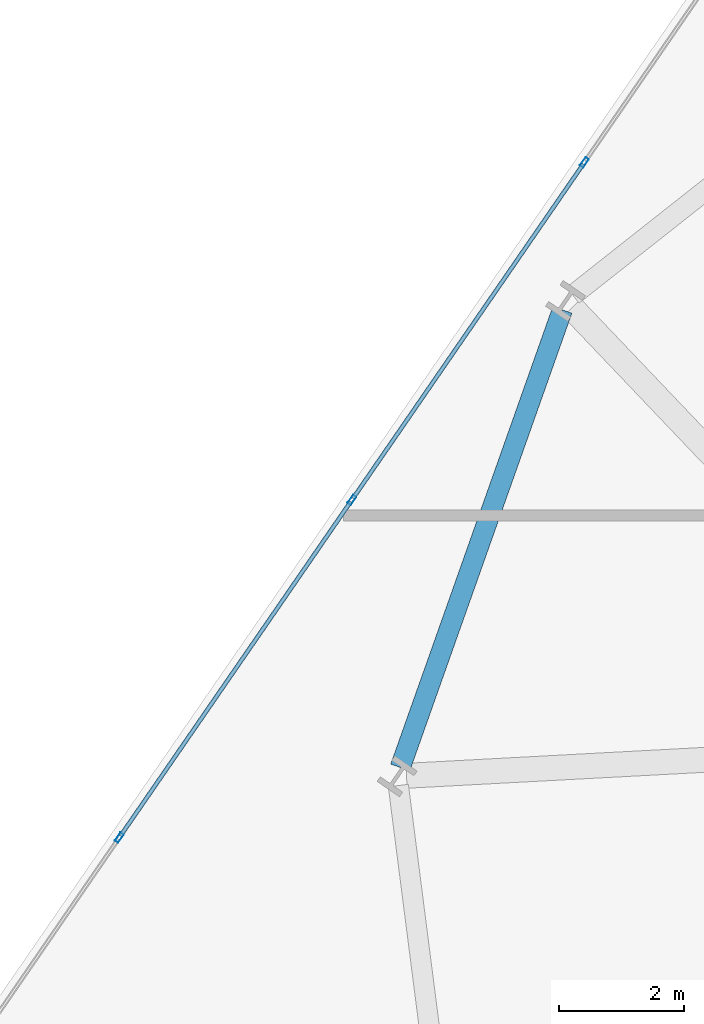
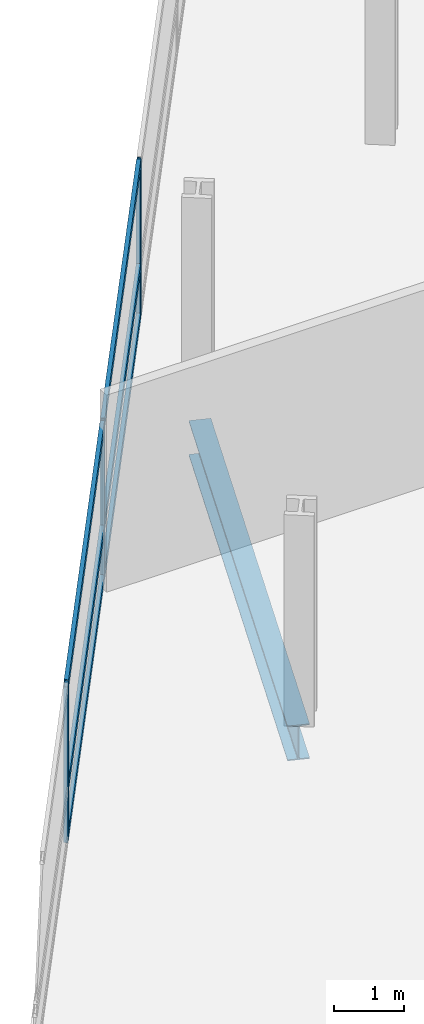
# One storey, part 4 of 25: 9 members, 1 beam, 1 element without a shape of its own.
"""IFC4 building model written with IfcOpenShell, lengths in metres."""

from ifc_helpers import new_model, si_unit, direction, frame, origin, origin_2d, place, context, subcontext, project, spatial, hollow_rectangle, i_section, extrude, material, layer, layer_set, material_profile, profile_set, type_object, element, aggregate, save


model = new_model("IFC4")

# Units and contexts
model_context = context("Model", 3, precision=1e-05, world=origin(), true_north=direction((0.0, 1.0)))
body_context = subcontext(model_context, "Body", "Model", "MODEL_VIEW")
ifc_project = project(units=[si_unit("LENGTHUNIT", "METRE"), si_unit("AREAUNIT", "SQUARE_METRE"), si_unit("VOLUMEUNIT", "CUBIC_METRE"), si_unit("PLANEANGLEUNIT", "RADIAN"), si_unit("MASSUNIT", "GRAM", prefix="KILO")], contexts=[model_context])

# Site, building, storey
site_placement = place(None, origin())
site = spatial("IfcSite", under=ifc_project, at=site_placement, CompositionType="ELEMENT")
building_placement = place(site_placement, origin())
building = spatial("IfcBuilding", under=site, at=building_placement, Name="Varnelok Gate Tower", CompositionType="ELEMENT")
storey_placement = place(building_placement, frame((0.0, 0.0, 52.89990234375)))
storey = spatial("IfcBuildingStorey", under=building, at=storey_placement, Name="L12", CompositionType="ELEMENT", Elevation=52.89990234375)

# Beam
ifc_material_1 = material(Name="Structural Steel ASTM A992 Grade 50", Category="steel")
ifc_material_profile_1 = material_profile(ifc_material_1, i_section(OverallWidth=0.323974609375, OverallDepth=0.611083984375, WebThickness=0.0126953125, FlangeThickness=0.01904296875, FilletRadius=0.01806640625, at=origin_2d()), Name="W24X104")
ifc_profile_set_1 = profile_set([ifc_material_profile_1], Name="Structural Steel ASTM A992 Grade 50")
beam_type = type_object("IfcBeamType", Name="BM-SPN-W24X104", PredefinedType="SPANDREL", material=ifc_profile_set_1)
beam_placement = place(storey_placement, frame((6.679931640625, 45.09619140625, -0.555419921875), z_axis=(-0.333877359029, -0.942616522838, 0.0), x_axis=(0.942616522838, -0.333877359029, 0.0)))
element("IfcBeam", 1, at=beam_placement, inside=storey, type_object=beam_type, Name="L12 Perimeter Spandrel Beam 15", PredefinedType="SPANDREL", context=body_context, shape_type="SweptSolid", body=[
    extrude(i_section(OverallWidth=0.323974609375, OverallDepth=0.611083984375, WebThickness=0.0126953125, FlangeThickness=0.01904296875, FilletRadius=0.01806640625, at=origin_2d()), origin(), (0.0, 0.0, 1.0), 7.77734375),
])

# Curtain wall, members
ifc_material_2 = material(Name="Anodized Aluminum Alloy 6063-T6", Category="aluminium")
ifc_layer = layer(ifc_material_2, 0.179931640625)
ifc_layer_set = layer_set([ifc_layer], Name="Anodized Aluminum Alloy 6063-T6")
curtain_wall_type = type_object("IfcCurtainWallType", Name="CW3-HOTEL-VISION", PredefinedType="USERDEFINED", material=ifc_layer_set)
curtain_wall_placement = place(storey_placement, origin())
curtain_wall = element("IfcCurtainWall", 2, at=curtain_wall_placement, inside=storey, type_object=curtain_wall_type, Name="L12 West End Vision Curtain Wall", ObjectType="UNITISED CURTAIN WALL", PredefinedType="USERDEFINED")
ifc_material_profile_2 = material_profile(ifc_material_2, hollow_rectangle(XDim=0.06494140625, YDim=0.159912109375, WallThickness=0.00390625, at=origin_2d()), Name="ALU160X65X4")
ifc_profile_set_2 = profile_set([ifc_material_profile_2], Name="Anodized Aluminum Alloy 6063-T6")
member_type_1 = type_object("IfcMemberType", Name="CW-MULL-160", PredefinedType="MULLION", material=ifc_profile_set_2)
member_1_placement = place(storey_placement, frame((-0.417236328125, 36.641845703125, 0.0), z_axis=(0.0, 0.0, 1.0), x_axis=(-0.823532685111, 0.567268822124, 0.0)))
member_1 = element("IfcMember", 3, at=member_1_placement, type_object=member_type_1, Name="CW3 mullion 2", PredefinedType="MULLION", context=body_context, shape_type="SweptSolid", body=[
    extrude(hollow_rectangle(XDim=0.06494140625, YDim=0.159912109375, WallThickness=0.00390625, at=origin_2d()), origin(), (0.0, 0.0, 1.0), 2.72998046875),
])
member_2_placement = place(storey_placement, frame((3.3076171875, 42.049560546875, 0.0), z_axis=(0.0, 0.0, 1.0), x_axis=(-0.823532685111, 0.567268822124, 0.0)))
member_2 = element("IfcMember", 4, at=member_2_placement, type_object=member_type_1, Name="CW3 mullion 3", PredefinedType="MULLION", context=body_context, shape_type="SweptSolid", body=[
    extrude(hollow_rectangle(XDim=0.06494140625, YDim=0.159912109375, WallThickness=0.00390625, at=origin_2d()), origin(), (0.0, 0.0, 1.0), 2.72998046875),
])
member_3_placement = place(storey_placement, frame((7.03271484375, 47.45751953125, 0.0), z_axis=(0.0, 0.0, 1.0), x_axis=(-0.823532685111, 0.567268822124, 0.0)))
member_3 = element("IfcMember", 5, at=member_3_placement, type_object=member_type_1, Name="CW3 mullion 4", PredefinedType="MULLION", context=body_context, shape_type="SweptSolid", body=[
    extrude(hollow_rectangle(XDim=0.06494140625, YDim=0.159912109375, WallThickness=0.00390625, at=origin_2d()), origin(), (0.0, 0.0, 1.0), 2.72998046875),
])
ifc_material_profile_3 = material_profile(ifc_material_2, hollow_rectangle(XDim=0.06494140625, YDim=0.159912109375, WallThickness=0.00390625, at=origin_2d()), Name="ALU160X65X4")
ifc_profile_set_3 = profile_set([ifc_material_profile_3], Name="Anodized Aluminum Alloy 6063-T6")
member_type_2 = type_object("IfcMemberType", Name="CW-TRAN-160", PredefinedType="USERDEFINED", material=ifc_profile_set_3)
member_4_placement = place(storey_placement, frame((-0.39892578125, 36.66845703125, 0.03271484375), z_axis=(0.567261662339, 0.823537616894, 0.0), x_axis=(-0.823537616894, 0.567261662339, 0.0)))
member_4 = element("IfcMember", 6, at=member_4_placement, type_object=member_type_2, Name="CW3 transom 2.1", ObjectType="TRANSOM", PredefinedType="USERDEFINED", context=body_context, shape_type="SweptSolid", body=[
    extrude(hollow_rectangle(XDim=0.06494140625, YDim=0.159912109375, WallThickness=0.00390625, at=origin_2d()), origin(), (0.0, 0.0, 1.0), 6.501708984375),
])
member_5_placement = place(storey_placement, frame((-0.39892578125, 36.66845703125, 0.900146484375), z_axis=(0.567261662339, 0.823537616894, 0.0), x_axis=(-0.823537616894, 0.567261662339, 0.0)))
member_5 = element("IfcMember", 7, at=member_5_placement, type_object=member_type_2, Name="CW3 transom 2.2", ObjectType="TRANSOM", PredefinedType="USERDEFINED", context=body_context, shape_type="SweptSolid", body=[
    extrude(hollow_rectangle(XDim=0.06494140625, YDim=0.159912109375, WallThickness=0.00390625, at=origin_2d()), origin(), (0.0, 0.0, 1.0), 6.501708984375),
])
member_6_placement = place(storey_placement, frame((-0.39892578125, 36.66845703125, 2.697509765625), z_axis=(0.567261662339, 0.823537616894, 0.0), x_axis=(-0.823537616894, 0.567261662339, 0.0)))
member_6 = element("IfcMember", 8, at=member_6_placement, type_object=member_type_2, Name="CW3 transom 2.3", ObjectType="TRANSOM", PredefinedType="USERDEFINED", context=body_context, shape_type="SweptSolid", body=[
    extrude(hollow_rectangle(XDim=0.06494140625, YDim=0.159912109375, WallThickness=0.00390625, at=origin_2d()), origin(), (0.0, 0.0, 1.0), 6.501708984375),
])
member_7_placement = place(storey_placement, frame((3.326171875, 42.076416015625, 0.03271484375), z_axis=(0.567279204469, 0.823525533409, 0.0), x_axis=(-0.823525533409, 0.567279204469, 0.0)))
member_7 = element("IfcMember", 9, at=member_7_placement, type_object=member_type_2, Name="CW3 transom 3.1", ObjectType="TRANSOM", PredefinedType="USERDEFINED", context=body_context, shape_type="SweptSolid", body=[
    extrude(hollow_rectangle(XDim=0.06494140625, YDim=0.159912109375, WallThickness=0.00390625, at=origin_2d()), origin(), (0.0, 0.0, 1.0), 6.501708984375),
])
member_8_placement = place(storey_placement, frame((3.326171875, 42.076416015625, 0.900146484375), z_axis=(0.567279204469, 0.823525533409, 0.0), x_axis=(-0.823525533409, 0.567279204469, 0.0)))
member_8 = element("IfcMember", 10, at=member_8_placement, type_object=member_type_2, Name="CW3 transom 3.2", ObjectType="TRANSOM", PredefinedType="USERDEFINED", context=body_context, shape_type="SweptSolid", body=[
    extrude(hollow_rectangle(XDim=0.06494140625, YDim=0.159912109375, WallThickness=0.00390625, at=origin_2d()), origin(), (0.0, 0.0, 1.0), 6.501708984375),
])
member_9_placement = place(storey_placement, frame((3.326171875, 42.076416015625, 2.697509765625), z_axis=(0.567279204469, 0.823525533409, 0.0), x_axis=(-0.823525533409, 0.567279204469, 0.0)))
member_9 = element("IfcMember", 11, at=member_9_placement, type_object=member_type_2, Name="CW3 transom 3.3", ObjectType="TRANSOM", PredefinedType="USERDEFINED", context=body_context, shape_type="SweptSolid", body=[
    extrude(hollow_rectangle(XDim=0.06494140625, YDim=0.159912109375, WallThickness=0.00390625, at=origin_2d()), origin(), (0.0, 0.0, 1.0), 6.501708984375),
])
aggregate(curtain_wall, [member_1, member_2, member_3, member_4, member_5, member_6, member_7, member_8, member_9])

save(model, "model.ifc")
